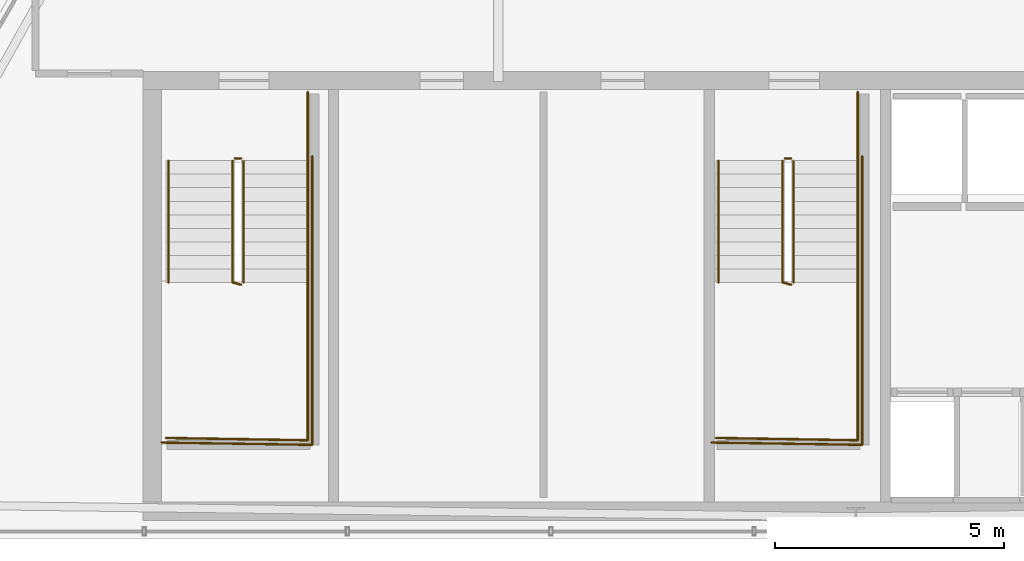
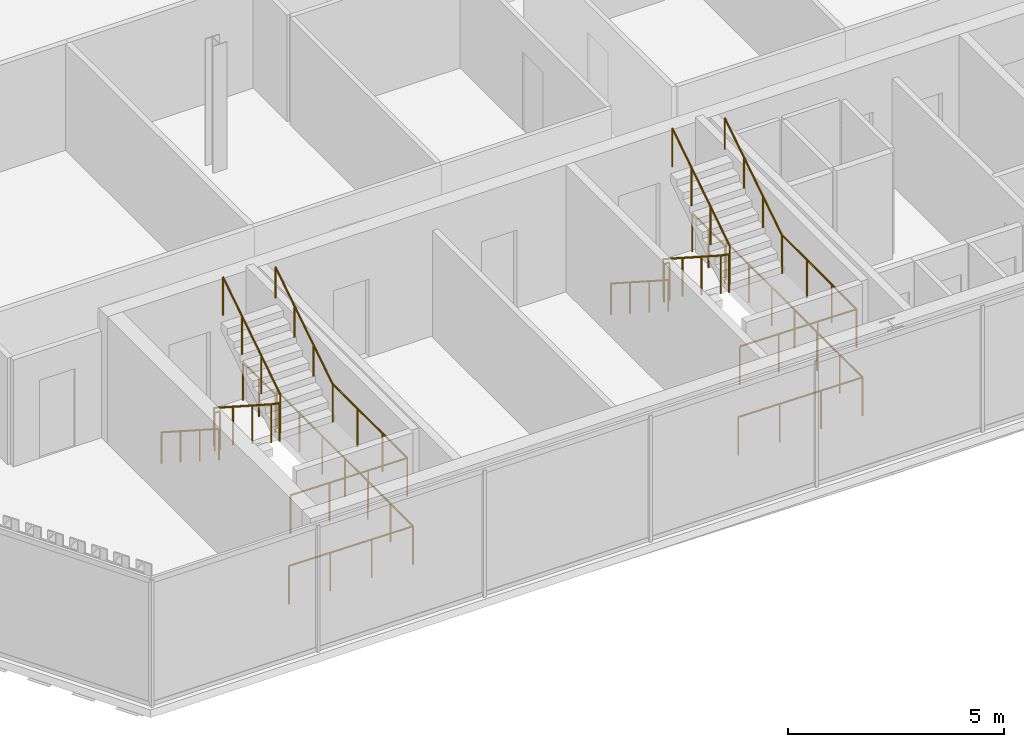
# One storey, part 33 of 35: 16 railings.
"""IFC4 building model written with IfcOpenShell, lengths in metres."""

from ifc_helpers import new_model, si_unit, direction, frame, origin, origin_2d, place, context, subcontext, project, spatial, circle, extrude, material, layer, layer_set, type_object, element, save


model = new_model("IFC4")

# Units and contexts
model_context = context("Model", 3, precision=1e-05, world=origin(), true_north=direction((0.0, 1.0)))
body_context = subcontext(model_context, "Body", "Model", "MODEL_VIEW")
ifc_project = project(units=[si_unit("LENGTHUNIT", "METRE"), si_unit("AREAUNIT", "SQUARE_METRE"), si_unit("VOLUMEUNIT", "CUBIC_METRE"), si_unit("PLANEANGLEUNIT", "RADIAN"), si_unit("MASSUNIT", "GRAM", prefix="KILO")], contexts=[model_context])

# Site, building, storey
site_placement = place(None, origin())
site = spatial("IfcSite", under=ifc_project, at=site_placement, CompositionType="ELEMENT")
building_placement = place(site_placement, origin())
building = spatial("IfcBuilding", under=site, at=building_placement, Name="Ndaravel Arena Tower", CompositionType="ELEMENT")
storey_placement = place(building_placement, frame((0.0, 0.0, 271.199951171875)))
storey = spatial("IfcBuildingStorey", under=building, at=storey_placement, Name="L66", CompositionType="ELEMENT", Elevation=271.199951171875)

# Railings
ifc_material_1 = material(Name="Steel S355", Category="steel")
ifc_layer_1 = layer(ifc_material_1, 0.06005859375)
ifc_layer_set_1 = layer_set([ifc_layer_1], Name="Steel S355")
railing_type_1 = type_object("IfcRailingType", Name="RAIL-STAIR-GD1100", PredefinedType="GUARDRAIL", material=ifc_layer_set_1)
railing_1_placement = place(storey_placement, frame((28.39990234375, 13.25, 0.18994140625)))
element("IfcRailing", 1, at=railing_1_placement, inside=storey, type_object=railing_type_1, Name="L66 ST-1 stair guard 1", PredefinedType="GUARDRAIL", context=body_context, shape_type="SweptSolid", body=[
    extrude(circle(Radius=0.02392578125, at=origin_2d()), frame((0.0, 0.0, 1.076171875), z_axis=(0.0, -0.840688348013, 0.541519253134), x_axis=(1.0, 0.0, 0.0)), (0.0, 0.0, 1.0), 3.158203125),
    extrude(circle(Radius=0.02392578125, at=origin_2d()), frame((0.0, -2.655029296875, 2.7861328125), z_axis=(0.967074537263, -0.25449329928, 0.0), x_axis=(0.25449329928, 0.967074537263, 0.0)), (0.0, 0.0, 1.0), 0.19677734375),
    extrude(circle(Radius=0.02099609375, at=origin_2d()), origin(), (0.0, 0.0, 1.0), 1.052001953125),
    extrude(circle(Radius=0.02099609375, at=origin_2d()), frame((0.0, -0.885009765625, 0.570068359375)), (0.0, 0.0, 1.0), 1.052001953125),
    extrude(circle(Radius=0.02099609375, at=origin_2d()), frame((0.0, -1.77001953125, 1.14013671875)), (0.0, 0.0, 1.0), 1.052001953125),
    extrude(circle(Radius=0.02099609375, at=origin_2d()), frame((0.0, -2.655029296875, 1.710205078125)), (0.0, 0.0, 1.0), 1.052001953125),
    extrude(circle(Radius=0.02099609375, at=origin_2d()), frame((0.190185546875, -2.705078125, 1.710205078125)), (0.0, 0.0, 1.0), 1.052001953125),
])
railing_2_placement = place(storey_placement, frame((30.0400390625, 10.594970703125, 1.900146484375)))
element("IfcRailing", 2, at=railing_2_placement, inside=storey, type_object=railing_type_1, Name="L66 ST-1 stair guard 2", PredefinedType="GUARDRAIL", context=body_context, shape_type="SweptSolid", body=[
    extrude(circle(Radius=0.02392578125, at=origin_2d()), frame((0.0, 0.0, 1.076171875), z_axis=(0.0, -1.0, 0.0), x_axis=(1.0, 0.0, 0.0)), (0.0, 0.0, 1.0), 3.445068359375),
    extrude(circle(Radius=0.02392578125, at=origin_2d()), frame((0.0, -3.445068359375, 1.076171875), z_axis=(-0.999868861343, 0.016194447071, 0.0), x_axis=(-0.016194447071, -0.999868861343, 0.0)), (0.0, 0.0, 1.0), 3.090576171875),
    extrude(circle(Radius=0.02099609375, at=origin_2d()), origin(), (0.0, 0.0, 1.0), 1.052001953125),
    extrude(circle(Radius=0.02099609375, at=origin_2d()), frame((0.0, -1.1484375, 0.0)), (0.0, 0.0, 1.0), 1.052001953125),
    extrude(circle(Radius=0.02099609375, at=origin_2d()), frame((0.0, -2.296630859375, 0.0)), (0.0, 0.0, 1.0), 1.052001953125),
    extrude(circle(Radius=0.02099609375, at=origin_2d()), frame((0.0, -3.445068359375, 0.0)), (0.0, 0.0, 1.0), 1.052001953125),
    extrude(circle(Radius=0.02099609375, at=origin_2d()), frame((-1.030029296875, -3.428466796875, 0.0)), (0.0, 0.0, 1.0), 1.052001953125),
    extrude(circle(Radius=0.02099609375, at=origin_2d()), frame((-2.06005859375, -3.41162109375, 0.0)), (0.0, 0.0, 1.0), 1.052001953125),
    extrude(circle(Radius=0.02099609375, at=origin_2d()), frame((-3.090087890625, -3.39501953125, 0.0)), (0.0, 0.0, 1.0), 1.052001953125),
])
railing_3_placement = place(storey_placement, frame((28.639892578125, 10.594970703125, 2.090087890625)))
element("IfcRailing", 3, at=railing_3_placement, inside=storey, type_object=railing_type_1, Name="L66 ST-1 stair guard 3", PredefinedType="GUARDRAIL", context=body_context, shape_type="SweptSolid", body=[
    extrude(circle(Radius=0.02392578125, at=origin_2d()), frame((0.0, 0.0, 1.076171875), z_axis=(0.0, 0.840723540582, 0.54146461409), x_axis=(-1.0, 0.0, 0.0)), (0.0, 0.0, 1.0), 3.157958984375),
    extrude(circle(Radius=0.02099609375, at=origin_2d()), origin(), (0.0, 0.0, 1.0), 1.052001953125),
    extrude(circle(Radius=0.02099609375, at=origin_2d()), frame((0.0, 0.885009765625, 0.570068359375)), (0.0, 0.0, 1.0), 1.052001953125),
    extrude(circle(Radius=0.02099609375, at=origin_2d()), frame((0.0, 1.77001953125, 1.139892578125)), (0.0, 0.0, 1.0), 1.052001953125),
    extrude(circle(Radius=0.02099609375, at=origin_2d()), frame((0.0, 2.655029296875, 1.7099609375)), (0.0, 0.0, 1.0), 1.052001953125),
])
railing_4_placement = place(storey_placement, frame((28.449951171875, 13.300048828125, 0.0)))
element("IfcRailing", 4, at=railing_4_placement, inside=storey, type_object=railing_type_1, Name="L66 ST-1 stair guard 4", PredefinedType="GUARDRAIL", context=body_context, shape_type="SweptSolid", body=[
    extrude(circle(Radius=0.02392578125, at=origin_2d()), frame((0.0, 0.0, 1.076171875), z_axis=(1.0, 0.0, 0.0), x_axis=(0.0, 1.0, 0.0)), (0.0, 0.0, 1.0), 0.14013671875),
    extrude(circle(Radius=0.02099609375, at=origin_2d()), origin(), (0.0, 0.0, 1.0), 1.052001953125),
    extrude(circle(Radius=0.02099609375, at=origin_2d()), frame((0.14013671875, 0.0, 0.0)), (0.0, 0.0, 1.0), 1.052001953125),
])
railing_5_placement = place(storey_placement, frame((30.0400390625, 14.75, 0.0)))
element("IfcRailing", 5, at=railing_5_placement, inside=storey, type_object=railing_type_1, Name="L66 ST-1 stair guard 5", PredefinedType="GUARDRAIL", context=body_context, shape_type="SweptSolid", body=[
    extrude(circle(Radius=0.02392578125, at=origin_2d()), frame((0.0, 0.0, 1.076171875), z_axis=(0.0, -1.0, 0.0), x_axis=(1.0, 0.0, 0.0)), (0.0, 0.0, 1.0), 1.5),
    extrude(circle(Radius=0.02099609375, at=origin_2d()), origin(), (0.0, 0.0, 1.0), 1.052001953125),
    extrude(circle(Radius=0.02099609375, at=origin_2d()), frame((0.0, -0.75, 0.0)), (0.0, 0.0, 1.0), 1.052001953125),
    extrude(circle(Radius=0.02099609375, at=origin_2d()), frame((0.0, -1.5, 0.0)), (0.0, 0.0, 1.0), 1.052001953125),
])
railing_6_placement = place(storey_placement, frame((30.139892578125, 13.35009765625, 0.0)))
element("IfcRailing", 6, at=railing_6_placement, inside=storey, type_object=railing_type_1, Name="L66 ST-1 stair guard 6", PredefinedType="GUARDRAIL", context=body_context, shape_type="SweptSolid", body=[
    extrude(circle(Radius=0.02392578125, at=origin_2d()), frame((0.0, 0.0, 1.076171875), z_axis=(0.0, -1.0, 0.0), x_axis=(1.0, 0.0, 0.0)), (0.0, 0.0, 1.0), 6.300048828125),
    extrude(circle(Radius=0.02392578125, at=origin_2d()), frame((0.0, -6.300048828125, 1.076171875), z_axis=(-0.999884296952, 0.015211597839, 0.0), x_axis=(-0.015211597839, -0.999884296952, 0.0)), (0.0, 0.0, 1.0), 3.290283203125),
    extrude(circle(Radius=0.02099609375, at=origin_2d()), origin(), (0.0, 0.0, 1.0), 1.052001953125),
    extrude(circle(Radius=0.02099609375, at=origin_2d()), frame((0.0, -1.050048828125, 0.0)), (0.0, 0.0, 1.0), 1.052001953125),
    extrude(circle(Radius=0.02099609375, at=origin_2d()), frame((0.0, -2.10009765625, 0.0)), (0.0, 0.0, 1.0), 1.052001953125),
    extrude(circle(Radius=0.02099609375, at=origin_2d()), frame((0.0, -3.14990234375, 0.0)), (0.0, 0.0, 1.0), 1.052001953125),
    extrude(circle(Radius=0.02099609375, at=origin_2d()), frame((0.0, -4.199951171875, 0.0)), (0.0, 0.0, 1.0), 1.052001953125),
    extrude(circle(Radius=0.02099609375, at=origin_2d()), frame((0.0, -5.25, 0.0)), (0.0, 0.0, 1.0), 1.052001953125),
    extrude(circle(Radius=0.02099609375, at=origin_2d()), frame((0.0, -6.300048828125, 0.0)), (0.0, 0.0, 1.0), 1.052001953125),
    extrude(circle(Radius=0.02099609375, at=origin_2d()), frame((-1.0966796875, -6.283447265625, 0.0)), (0.0, 0.0, 1.0), 1.052001953125),
    extrude(circle(Radius=0.02099609375, at=origin_2d()), frame((-2.193115234375, -6.2666015625, 0.0)), (0.0, 0.0, 1.0), 1.052001953125),
    extrude(circle(Radius=0.02099609375, at=origin_2d()), frame((-3.289794921875, -6.25, 0.0)), (0.0, 0.0, 1.0), 1.052001953125),
])
railing_7_placement = place(storey_placement, frame((40.39990234375, 13.25, 0.18994140625)))
element("IfcRailing", 7, at=railing_7_placement, inside=storey, type_object=railing_type_1, Name="L66 ST-2 stair guard 1", PredefinedType="GUARDRAIL", context=body_context, shape_type="SweptSolid", body=[
    extrude(circle(Radius=0.02392578125, at=origin_2d()), frame((0.0, 0.0, 1.076171875), z_axis=(0.0, -0.840688348013, 0.541519253134), x_axis=(1.0, 0.0, 0.0)), (0.0, 0.0, 1.0), 3.158203125),
    extrude(circle(Radius=0.02392578125, at=origin_2d()), frame((0.0, -2.655029296875, 2.7861328125), z_axis=(0.967074537263, -0.25449329928, 0.0), x_axis=(0.25449329928, 0.967074537263, 0.0)), (0.0, 0.0, 1.0), 0.19677734375),
    extrude(circle(Radius=0.02099609375, at=origin_2d()), origin(), (0.0, 0.0, 1.0), 1.052001953125),
    extrude(circle(Radius=0.02099609375, at=origin_2d()), frame((0.0, -0.885009765625, 0.570068359375)), (0.0, 0.0, 1.0), 1.052001953125),
    extrude(circle(Radius=0.02099609375, at=origin_2d()), frame((0.0, -1.77001953125, 1.14013671875)), (0.0, 0.0, 1.0), 1.052001953125),
    extrude(circle(Radius=0.02099609375, at=origin_2d()), frame((0.0, -2.655029296875, 1.710205078125)), (0.0, 0.0, 1.0), 1.052001953125),
    extrude(circle(Radius=0.02099609375, at=origin_2d()), frame((0.190185546875, -2.705078125, 1.710205078125)), (0.0, 0.0, 1.0), 1.052001953125),
])
railing_8_placement = place(storey_placement, frame((42.0400390625, 10.594970703125, 1.900146484375)))
element("IfcRailing", 8, at=railing_8_placement, inside=storey, type_object=railing_type_1, Name="L66 ST-2 stair guard 2", PredefinedType="GUARDRAIL", context=body_context, shape_type="SweptSolid", body=[
    extrude(circle(Radius=0.02392578125, at=origin_2d()), frame((0.0, 0.0, 1.076171875), z_axis=(0.0, -1.0, 0.0), x_axis=(1.0, 0.0, 0.0)), (0.0, 0.0, 1.0), 3.445068359375),
    extrude(circle(Radius=0.02392578125, at=origin_2d()), frame((0.0, -3.445068359375, 1.076171875), z_axis=(-0.999868861343, 0.016194447071, 0.0), x_axis=(-0.016194447071, -0.999868861343, 0.0)), (0.0, 0.0, 1.0), 3.090576171875),
    extrude(circle(Radius=0.02099609375, at=origin_2d()), origin(), (0.0, 0.0, 1.0), 1.052001953125),
    extrude(circle(Radius=0.02099609375, at=origin_2d()), frame((0.0, -1.1484375, 0.0)), (0.0, 0.0, 1.0), 1.052001953125),
    extrude(circle(Radius=0.02099609375, at=origin_2d()), frame((0.0, -2.296630859375, 0.0)), (0.0, 0.0, 1.0), 1.052001953125),
    extrude(circle(Radius=0.02099609375, at=origin_2d()), frame((0.0, -3.445068359375, 0.0)), (0.0, 0.0, 1.0), 1.052001953125),
    extrude(circle(Radius=0.02099609375, at=origin_2d()), frame((-1.030029296875, -3.428466796875, 0.0)), (0.0, 0.0, 1.0), 1.052001953125),
    extrude(circle(Radius=0.02099609375, at=origin_2d()), frame((-2.06005859375, -3.41162109375, 0.0)), (0.0, 0.0, 1.0), 1.052001953125),
    extrude(circle(Radius=0.02099609375, at=origin_2d()), frame((-3.090087890625, -3.39501953125, 0.0)), (0.0, 0.0, 1.0), 1.052001953125),
])
railing_9_placement = place(storey_placement, frame((40.639892578125, 10.594970703125, 2.090087890625)))
element("IfcRailing", 9, at=railing_9_placement, inside=storey, type_object=railing_type_1, Name="L66 ST-2 stair guard 3", PredefinedType="GUARDRAIL", context=body_context, shape_type="SweptSolid", body=[
    extrude(circle(Radius=0.02392578125, at=origin_2d()), frame((0.0, 0.0, 1.076171875), z_axis=(0.0, 0.840723540582, 0.54146461409), x_axis=(-1.0, 0.0, 0.0)), (0.0, 0.0, 1.0), 3.157958984375),
    extrude(circle(Radius=0.02099609375, at=origin_2d()), origin(), (0.0, 0.0, 1.0), 1.052001953125),
    extrude(circle(Radius=0.02099609375, at=origin_2d()), frame((0.0, 0.885009765625, 0.570068359375)), (0.0, 0.0, 1.0), 1.052001953125),
    extrude(circle(Radius=0.02099609375, at=origin_2d()), frame((0.0, 1.77001953125, 1.139892578125)), (0.0, 0.0, 1.0), 1.052001953125),
    extrude(circle(Radius=0.02099609375, at=origin_2d()), frame((0.0, 2.655029296875, 1.7099609375)), (0.0, 0.0, 1.0), 1.052001953125),
])
railing_10_placement = place(storey_placement, frame((40.449951171875, 13.300048828125, 0.0)))
element("IfcRailing", 10, at=railing_10_placement, inside=storey, type_object=railing_type_1, Name="L66 ST-2 stair guard 4", PredefinedType="GUARDRAIL", context=body_context, shape_type="SweptSolid", body=[
    extrude(circle(Radius=0.02392578125, at=origin_2d()), frame((0.0, 0.0, 1.076171875), z_axis=(1.0, 0.0, 0.0), x_axis=(0.0, 1.0, 0.0)), (0.0, 0.0, 1.0), 0.14013671875),
    extrude(circle(Radius=0.02099609375, at=origin_2d()), origin(), (0.0, 0.0, 1.0), 1.052001953125),
    extrude(circle(Radius=0.02099609375, at=origin_2d()), frame((0.14013671875, 0.0, 0.0)), (0.0, 0.0, 1.0), 1.052001953125),
])
railing_11_placement = place(storey_placement, frame((42.0400390625, 14.75, 0.0)))
element("IfcRailing", 11, at=railing_11_placement, inside=storey, type_object=railing_type_1, Name="L66 ST-2 stair guard 5", PredefinedType="GUARDRAIL", context=body_context, shape_type="SweptSolid", body=[
    extrude(circle(Radius=0.02392578125, at=origin_2d()), frame((0.0, 0.0, 1.076171875), z_axis=(0.0, -1.0, 0.0), x_axis=(1.0, 0.0, 0.0)), (0.0, 0.0, 1.0), 1.5),
    extrude(circle(Radius=0.02099609375, at=origin_2d()), origin(), (0.0, 0.0, 1.0), 1.052001953125),
    extrude(circle(Radius=0.02099609375, at=origin_2d()), frame((0.0, -0.75, 0.0)), (0.0, 0.0, 1.0), 1.052001953125),
    extrude(circle(Radius=0.02099609375, at=origin_2d()), frame((0.0, -1.5, 0.0)), (0.0, 0.0, 1.0), 1.052001953125),
])
railing_12_placement = place(storey_placement, frame((42.139892578125, 13.35009765625, 0.0)))
element("IfcRailing", 12, at=railing_12_placement, inside=storey, type_object=railing_type_1, Name="L66 ST-2 stair guard 6", PredefinedType="GUARDRAIL", context=body_context, shape_type="SweptSolid", body=[
    extrude(circle(Radius=0.02392578125, at=origin_2d()), frame((0.0, 0.0, 1.076171875), z_axis=(0.0, -1.0, 0.0), x_axis=(1.0, 0.0, 0.0)), (0.0, 0.0, 1.0), 6.300048828125),
    extrude(circle(Radius=0.02392578125, at=origin_2d()), frame((0.0, -6.300048828125, 1.076171875), z_axis=(-0.999884296952, 0.015211597839, 0.0), x_axis=(-0.015211597839, -0.999884296952, 0.0)), (0.0, 0.0, 1.0), 3.290283203125),
    extrude(circle(Radius=0.02099609375, at=origin_2d()), origin(), (0.0, 0.0, 1.0), 1.052001953125),
    extrude(circle(Radius=0.02099609375, at=origin_2d()), frame((0.0, -1.050048828125, 0.0)), (0.0, 0.0, 1.0), 1.052001953125),
    extrude(circle(Radius=0.02099609375, at=origin_2d()), frame((0.0, -2.10009765625, 0.0)), (0.0, 0.0, 1.0), 1.052001953125),
    extrude(circle(Radius=0.02099609375, at=origin_2d()), frame((0.0, -3.14990234375, 0.0)), (0.0, 0.0, 1.0), 1.052001953125),
    extrude(circle(Radius=0.02099609375, at=origin_2d()), frame((0.0, -4.199951171875, 0.0)), (0.0, 0.0, 1.0), 1.052001953125),
    extrude(circle(Radius=0.02099609375, at=origin_2d()), frame((0.0, -5.25, 0.0)), (0.0, 0.0, 1.0), 1.052001953125),
    extrude(circle(Radius=0.02099609375, at=origin_2d()), frame((0.0, -6.300048828125, 0.0)), (0.0, 0.0, 1.0), 1.052001953125),
    extrude(circle(Radius=0.02099609375, at=origin_2d()), frame((-1.0966796875, -6.283447265625, 0.0)), (0.0, 0.0, 1.0), 1.052001953125),
    extrude(circle(Radius=0.02099609375, at=origin_2d()), frame((-2.193115234375, -6.2666015625, 0.0)), (0.0, 0.0, 1.0), 1.052001953125),
    extrude(circle(Radius=0.02099609375, at=origin_2d()), frame((-3.289794921875, -6.25, 0.0)), (0.0, 0.0, 1.0), 1.052001953125),
])
ifc_material_2 = material(Name="Steel S355", Category="steel")
ifc_layer_2 = layer(ifc_material_2, 0.050048828125)
ifc_layer_set_2 = layer_set([ifc_layer_2], Name="Steel S355")
railing_type_2 = type_object("IfcRailingType", Name="RAIL-STAIR-HR920", PredefinedType="HANDRAIL", material=ifc_layer_set_2)
railing_13_placement = place(storey_placement, frame((27.0, 13.25, 0.18994140625)))
element("IfcRailing", 13, at=railing_13_placement, inside=storey, type_object=railing_type_2, Name="L66 ST-1 stair handrail 1", PredefinedType="HANDRAIL", context=body_context, shape_type="SweptSolid", body=[
    extrude(circle(Radius=0.02392578125, at=origin_2d()), frame((0.0, 0.0, 0.8759765625), z_axis=(0.0, -0.840688348013, 0.541519253134), x_axis=(1.0, 0.0, 0.0)), (0.0, 0.0, 1.0), 3.158203125),
    extrude(circle(Radius=0.02099609375, at=origin_2d()), origin(), (0.0, 0.0, 1.0), 0.851806640625),
    extrude(circle(Radius=0.02099609375, at=origin_2d()), frame((0.0, -0.885009765625, 0.570068359375)), (0.0, 0.0, 1.0), 0.851806640625),
    extrude(circle(Radius=0.02099609375, at=origin_2d()), frame((0.0, -1.77001953125, 1.14013671875)), (0.0, 0.0, 1.0), 0.851806640625),
    extrude(circle(Radius=0.02099609375, at=origin_2d()), frame((0.0, -2.655029296875, 1.710205078125)), (0.0, 0.0, 1.0), 0.851806640625),
])
railing_14_placement = place(storey_placement, frame((30.0400390625, 10.594970703125, 2.090087890625)))
element("IfcRailing", 14, at=railing_14_placement, inside=storey, type_object=railing_type_2, Name="L66 ST-1 stair handrail 2", PredefinedType="HANDRAIL", context=body_context, shape_type="SweptSolid", body=[
    extrude(circle(Radius=0.02392578125, at=origin_2d()), frame((0.0, 0.0, 0.8759765625), z_axis=(0.0, 0.840723540582, 0.54146461409), x_axis=(-1.0, 0.0, 0.0)), (0.0, 0.0, 1.0), 3.157958984375),
    extrude(circle(Radius=0.02099609375, at=origin_2d()), origin(), (0.0, 0.0, 1.0), 0.851806640625),
    extrude(circle(Radius=0.02099609375, at=origin_2d()), frame((0.0, 0.885009765625, 0.570068359375)), (0.0, 0.0, 1.0), 0.851806640625),
    extrude(circle(Radius=0.02099609375, at=origin_2d()), frame((0.0, 1.77001953125, 1.139892578125)), (0.0, 0.0, 1.0), 0.851806640625),
    extrude(circle(Radius=0.02099609375, at=origin_2d()), frame((0.0, 2.655029296875, 1.7099609375)), (0.0, 0.0, 1.0), 0.851806640625),
])
railing_15_placement = place(storey_placement, frame((39.0, 13.25, 0.18994140625)))
element("IfcRailing", 15, at=railing_15_placement, inside=storey, type_object=railing_type_2, Name="L66 ST-2 stair handrail 1", PredefinedType="HANDRAIL", context=body_context, shape_type="SweptSolid", body=[
    extrude(circle(Radius=0.02392578125, at=origin_2d()), frame((0.0, 0.0, 0.8759765625), z_axis=(0.0, -0.840688348013, 0.541519253134), x_axis=(1.0, 0.0, 0.0)), (0.0, 0.0, 1.0), 3.158203125),
    extrude(circle(Radius=0.02099609375, at=origin_2d()), origin(), (0.0, 0.0, 1.0), 0.851806640625),
    extrude(circle(Radius=0.02099609375, at=origin_2d()), frame((0.0, -0.885009765625, 0.570068359375)), (0.0, 0.0, 1.0), 0.851806640625),
    extrude(circle(Radius=0.02099609375, at=origin_2d()), frame((0.0, -1.77001953125, 1.14013671875)), (0.0, 0.0, 1.0), 0.851806640625),
    extrude(circle(Radius=0.02099609375, at=origin_2d()), frame((0.0, -2.655029296875, 1.710205078125)), (0.0, 0.0, 1.0), 0.851806640625),
])
railing_16_placement = place(storey_placement, frame((42.0400390625, 10.594970703125, 2.090087890625)))
element("IfcRailing", 16, at=railing_16_placement, inside=storey, type_object=railing_type_2, Name="L66 ST-2 stair handrail 2", PredefinedType="HANDRAIL", context=body_context, shape_type="SweptSolid", body=[
    extrude(circle(Radius=0.02392578125, at=origin_2d()), frame((0.0, 0.0, 0.8759765625), z_axis=(0.0, 0.840723540582, 0.54146461409), x_axis=(-1.0, 0.0, 0.0)), (0.0, 0.0, 1.0), 3.157958984375),
    extrude(circle(Radius=0.02099609375, at=origin_2d()), origin(), (0.0, 0.0, 1.0), 0.851806640625),
    extrude(circle(Radius=0.02099609375, at=origin_2d()), frame((0.0, 0.885009765625, 0.570068359375)), (0.0, 0.0, 1.0), 0.851806640625),
    extrude(circle(Radius=0.02099609375, at=origin_2d()), frame((0.0, 1.77001953125, 1.139892578125)), (0.0, 0.0, 1.0), 0.851806640625),
    extrude(circle(Radius=0.02099609375, at=origin_2d()), frame((0.0, 2.655029296875, 1.7099609375)), (0.0, 0.0, 1.0), 0.851806640625),
])

save(model, "model.ifc")
